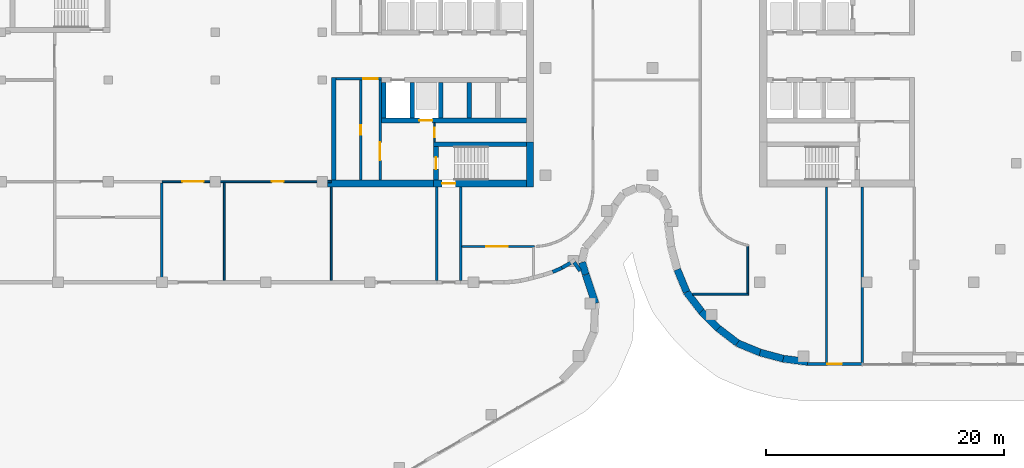
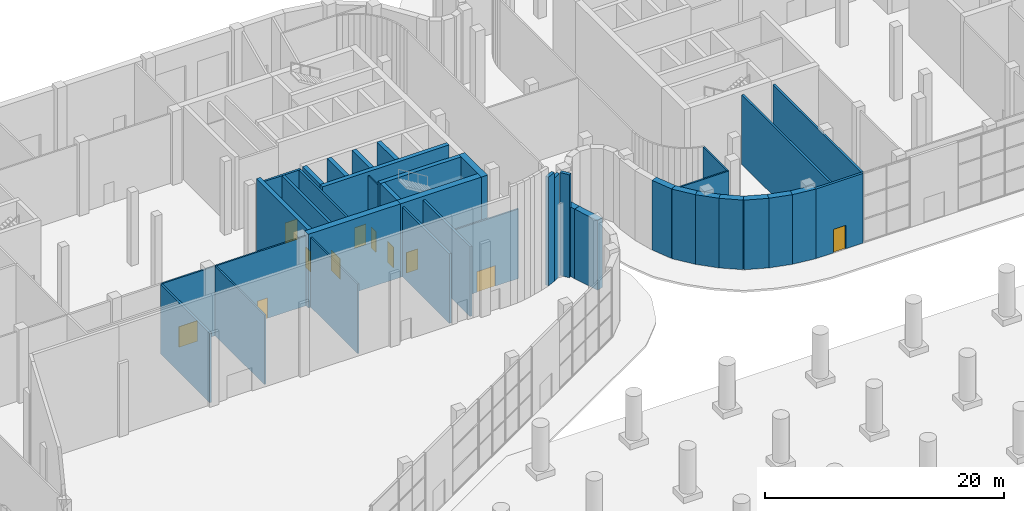
# One storey, part 17 of 30: 39 walls, 11 doors, 11 openings.
"""IFC4 building model written with IfcOpenShell, lengths in metres."""

from ifc_helpers import new_model, si_unit, direction, frame, frame_2d, origin, place, context, subcontext, project, spatial, rectangle, extrude, material, layer, layer_set, type_object, element, fill, save


model = new_model("IFC4")

# Units and contexts
model_context = context("Model", 3, precision=1e-05, world=origin(), true_north=direction((0.0, 1.0)))
body_context = subcontext(model_context, "Body", "Model", "MODEL_VIEW")
ifc_project = project(units=[si_unit("LENGTHUNIT", "METRE"), si_unit("AREAUNIT", "SQUARE_METRE"), si_unit("VOLUMEUNIT", "CUBIC_METRE"), si_unit("PLANEANGLEUNIT", "RADIAN"), si_unit("MASSUNIT", "GRAM", prefix="KILO")], contexts=[model_context])

# Site, building, storey
site_placement = place(None, origin())
site = spatial("IfcSite", under=ifc_project, at=site_placement, CompositionType="ELEMENT")
building_placement = place(site_placement, origin())
building = spatial("IfcBuilding", under=site, at=building_placement, Name="Skarvind Civic Tower", CompositionType="ELEMENT")
storey_placement = place(building_placement, origin())
storey = spatial("IfcBuildingStorey", under=building, at=storey_placement, Name="L00", CompositionType="ELEMENT", Elevation=0.0)

# Wall, opening, door
ifc_material_1 = material(Name="Fire-rated masonry partition", Category="masonry")
ifc_layer_1 = layer(ifc_material_1, 0.199951171875)
ifc_layer_set_1 = layer_set([ifc_layer_1], Name="Core enclosure wall 200")
wall_type_1 = type_object("IfcWallType", Name="Core enclosure wall 200", PredefinedType="PARTITIONING", material=ifc_layer_set_1)
wall_1_placement = place(storey_placement, frame((95.199951171875, 126.10009765625, 0.0), z_axis=(0.0, 0.0, 1.0), x_axis=(-1.0, 0.0, 0.0)))
wall_1 = element("IfcWall", 1, at=wall_1_placement, inside=storey, type_object=wall_type_1, Name="Core wall C1", PredefinedType="PARTITIONING", context=body_context, shape_type="SweptSolid", body=[
    extrude(rectangle(XDim=3.800048828125, YDim=0.199951171875, at=frame_2d((1.89990234375, 0.0))), origin(), (0.0, 0.0, 1.0), 7.10009765625),
])
opening_1_placement = place(wall_1_placement, frame((0.300048828125, 0.0, 0.0)))
opening_1 = element("IfcOpeningElement", 2, at=opening_1_placement, cuts=wall_1, Name="Opening D-L00-C1-07", PredefinedType="OPENING", context=body_context, shape_type="SweptSolid", body=[
    extrude(rectangle(XDim=1.199951171875, YDim=2.10009765625, at=frame_2d((0.60009765625, 1.050048828125))), frame((0.0, 0.10986328125, 0.0), z_axis=(0.0, -1.0, 0.0), x_axis=(1.0, 0.0, 0.0)), (0.0, 0.0, 1.0), 0.219970703125),
])
ifc_material_2 = material(Name="Fire-rated steel door", Category="steel")
door_type_1 = type_object("IfcDoorType", Name="Core lobby door 1200", OperationType="NOTDEFINED", PredefinedType="DOOR", material=ifc_material_2)
door_1_placement = place(opening_1_placement, origin())
door_1 = element("IfcDoor", 3, at=door_1_placement, inside=storey, type_object=door_type_1, Name="Fire door", OperationType="DOUBLE_DOOR_SINGLE_SWING", OverallHeight=2.10009765625, OverallWidth=1.199951171875, PredefinedType="DOOR", context=body_context, shape_type="SweptSolid", body=[
    extrude(rectangle(XDim=1.199951171875, YDim=2.10009765625, at=frame_2d((0.60009765625, 1.050048828125))), frame((0.0, 0.02490234375, 0.0), z_axis=(0.0, -1.0, 0.0), x_axis=(1.0, 0.0, 0.0)), (0.0, 0.0, 1.0), 0.050048828125),
])
fill(opening_1, door_1)

wall_2_placement = place(storey_placement, frame((95.10009765625, 117.60009765625, 0.0), z_axis=(0.0, 0.0, 1.0), x_axis=(0.0, 1.0, 0.0)))
wall_2 = element("IfcWall", 4, at=wall_2_placement, inside=storey, type_object=wall_type_1, Name="Core wall C1", PredefinedType="PARTITIONING", context=body_context, shape_type="SweptSolid", body=[
    extrude(rectangle(XDim=8.39990234375, YDim=0.199951171875, at=frame_2d((4.199951171875, 0.0))), origin(), (0.0, 0.0, 1.0), 7.10009765625),
])
opening_2_placement = place(wall_2_placement, frame((1.64990234375, 0.0, 0.0)))
opening_2 = element("IfcOpeningElement", 5, at=opening_2_placement, cuts=wall_2, Name="Opening D-L00-C1-08", PredefinedType="OPENING", context=body_context, shape_type="SweptSolid", body=[
    extrude(rectangle(XDim=1.5, YDim=2.10009765625, at=frame_2d((0.75, 1.050048828125))), frame((0.0, 0.10986328125, 0.0), z_axis=(0.0, -1.0, 0.0), x_axis=(1.0, 0.0, 0.0)), (0.0, 0.0, 1.0), 0.219970703125),
])
door_type_2 = type_object("IfcDoorType", Name="Fire door 1500", OperationType="NOTDEFINED", PredefinedType="DOOR", material=ifc_material_2)
door_2_placement = place(opening_2_placement, origin())
door_2 = element("IfcDoor", 6, at=door_2_placement, inside=storey, type_object=door_type_2, Name="Fire door", OperationType="DOUBLE_DOOR_SINGLE_SWING", OverallHeight=2.10009765625, OverallWidth=1.5, PredefinedType="DOOR", context=body_context, shape_type="SweptSolid", body=[
    extrude(rectangle(XDim=1.5, YDim=2.10009765625, at=frame_2d((0.75, 1.050048828125))), frame((0.0, 0.02490234375, 0.0), z_axis=(0.0, -1.0, 0.0), x_axis=(1.0, 0.0, 0.0)), (0.0, 0.0, 1.0), 0.050048828125),
])
fill(opening_2, door_2)

# Wall
ifc_material_3 = material(Name="Concrete C80", Category="concrete")
ifc_layer_2 = layer(ifc_material_3, 0.39990234375)
ifc_layer_set_2 = layer_set([ifc_layer_2], Name="Core wall 400 C80")
wall_type_2 = type_object("IfcWallType", Name="Core wall 400 C80", PredefinedType="SHEAR", material=ifc_layer_set_2)
wall_3_placement = place(storey_placement, frame((107.39990234375, 120.60009765625, 0.0), z_axis=(0.0, 0.0, 1.0), x_axis=(-1.0, 0.0, 0.0)))
element("IfcWall", 7, at=wall_3_placement, inside=storey, type_object=wall_type_2, Name="Core wall C1 north stair inner L00", PredefinedType="SHEAR", context=body_context, shape_type="SweptSolid", body=[
    extrude(rectangle(XDim=7.7998046875, YDim=0.39990234375, at=frame_2d((3.89990234375, 0.0))), origin(), (0.0, 0.0, 1.0), 7.5),
])

# Wall, opening, door
wall_4_placement = place(storey_placement, frame((99.800048828125, 120.39990234375, 0.0), z_axis=(0.0, 0.0, 1.0), x_axis=(0.0, -1.0, 0.0)))
wall_4 = element("IfcWall", 8, at=wall_4_placement, inside=storey, type_object=wall_type_2, Name="Core wall C1 north stair end L00", PredefinedType="SHEAR", context=body_context, shape_type="SweptSolid", body=[
    extrude(rectangle(XDim=2.7998046875, YDim=0.39990234375, at=frame_2d((1.39990234375, 0.0))), origin(), (0.0, 0.0, 1.0), 7.5),
])
opening_3_placement = place(wall_4_placement, frame((0.89990234375, 0.0, 0.0)))
opening_3 = element("IfcOpeningElement", 9, at=opening_3_placement, cuts=wall_4, Name="Opening D-L00-C1-09", PredefinedType="OPENING", context=body_context, shape_type="SweptSolid", body=[
    extrude(rectangle(XDim=1.0, YDim=2.10009765625, at=frame_2d((0.5, 1.050048828125))), frame((0.0, 0.2099609375, 0.0), z_axis=(0.0, -1.0, 0.0), x_axis=(1.0, 0.0, 0.0)), (0.0, 0.0, 1.0), 0.419921875),
])
door_type_3 = type_object("IfcDoorType", Name="Fire door 1000", OperationType="NOTDEFINED", PredefinedType="DOOR", material=ifc_material_2)
door_3_placement = place(opening_3_placement, origin())
door_3 = element("IfcDoor", 10, at=door_3_placement, inside=storey, type_object=door_type_3, Name="Fire door", OperationType="SINGLE_SWING_LEFT", OverallHeight=2.10009765625, OverallWidth=1.0, PredefinedType="DOOR", context=body_context, shape_type="SweptSolid", body=[
    extrude(rectangle(XDim=1.0, YDim=2.10009765625, at=frame_2d((0.5, 1.050048828125))), frame((0.0, 0.02490234375, 0.0), z_axis=(0.0, -1.0, 0.0), x_axis=(1.0, 0.0, 0.0)), (0.0, 0.0, 1.0), 0.050048828125),
])
fill(opening_3, door_3)

wall_5_placement = place(storey_placement, frame((107.39990234375, 122.60009765625, 0.0), z_axis=(0.0, 0.0, 1.0), x_axis=(-1.0, 0.0, 0.0)))
wall_5 = element("IfcWall", 11, at=wall_5_placement, inside=storey, type_object=wall_type_2, Name="Core wall C1 north lift row back L00", PredefinedType="SHEAR", context=body_context, shape_type="SweptSolid", body=[
    extrude(rectangle(XDim=12.199951171875, YDim=0.39990234375, at=frame_2d((6.10009765625, 0.0))), origin(), (0.0, 0.0, 1.0), 7.5),
])
opening_4_placement = place(wall_5_placement, frame((7.89990234375, 0.0, 0.0)))
opening_4 = element("IfcOpeningElement", 12, at=opening_4_placement, cuts=wall_5, Name="Opening LD02104", PredefinedType="OPENING", context=body_context, shape_type="SweptSolid", body=[
    extrude(rectangle(XDim=1.10009765625, YDim=2.10009765625, at=frame_2d((0.550048828125, 1.050048828125))), frame((0.0, 0.2099609375, 0.0), z_axis=(0.0, -1.0, 0.0), x_axis=(1.0, 0.0, 0.0)), (0.0, 0.0, 1.0), 0.419921875),
])
ifc_material_4 = material(Name="Stainless steel landing door", Category="steel")
door_type_4 = type_object("IfcDoorType", Name="Lift landing door 1100", OperationType="DOUBLE_DOOR_SLIDING", PredefinedType="DOOR", material=ifc_material_4)
door_4_placement = place(opening_4_placement, origin())
door_4 = element("IfcDoor", 13, at=door_4_placement, inside=storey, type_object=door_type_4, Name="Lift landing door", OperationType="DOUBLE_DOOR_SLIDING", OverallHeight=2.10009765625, OverallWidth=1.10009765625, PredefinedType="DOOR", context=body_context, shape_type="SweptSolid", body=[
    extrude(rectangle(XDim=1.10009765625, YDim=2.10009765625, at=frame_2d((0.550048828125, 1.050048828125))), frame((0.0, 0.02490234375, 0.0), z_axis=(0.0, -1.0, 0.0), x_axis=(1.0, 0.0, 0.0)), (0.0, 0.0, 1.0), 0.050048828125),
])
fill(opening_4, door_4)

# Walls
for number, where, z_axis, x_axis, name in (
    (14, (102.60009765625, 125.800048828125, 0.0), (0.0, 0.0, 1.0), (0.0, -1.0, 0.0), "Core wall C1 north lift row division 2 L00"),
    (15, (100.199951171875, 125.800048828125, 0.0), (0.0, 0.0, 1.0), (0.0, -1.0, 0.0), "Core wall C1 north lift row division 3 L00"),
    (16, (97.800048828125, 125.800048828125, 0.0), (0.0, 0.0, 1.0), (0.0, -1.0, 0.0), "Core wall C1 north lift row division 4 L00"),
    (17, (95.39990234375, 125.800048828125, 0.0), (0.0, 0.0, 1.0), (0.0, -1.0, 0.0), "Core wall C1 north lift row division 5 L00"),
):
    element("IfcWall", number, at=place(storey_placement, frame(where, z_axis=z_axis, x_axis=x_axis)), inside=storey, type_object=wall_type_2, Name=name, PredefinedType="SHEAR", context=body_context, shape_type="SweptSolid", body=[
        extrude(rectangle(XDim=3.0, YDim=0.39990234375, at=frame_2d((1.5, 0.0))), origin(), (0.0, 0.0, 1.0), 7.5),
    ])
wall_6_placement = place(storey_placement, frame((91.199951171875, 126.199951171875, 0.0), z_axis=(0.0, 0.0, 1.0), x_axis=(0.0, -1.0, 0.0)))
element("IfcWall", 18, at=wall_6_placement, inside=storey, type_object=wall_type_2, Name="Core wall C1 north inner face L00", PredefinedType="SHEAR", context=body_context, shape_type="SweptSolid", body=[
    extrude(rectangle(XDim=8.599853515625, YDim=0.39990234375, at=frame_2d((4.2998046875, 0.0))), origin(), (0.0, 0.0, 1.0), 7.5),
])
ifc_layer_3 = layer(ifc_material_3, 0.60009765625)
ifc_layer_set_3 = layer_set([ifc_layer_3], Name="Core wall 600 C80")
wall_type_3 = type_object("IfcWallType", Name="Core wall 600 C80", PredefinedType="SHEAR", material=ifc_layer_set_3)
wall_7_placement = place(storey_placement, frame((107.699951171875, 120.800048828125, 0.0), z_axis=(0.0, 0.0, 1.0), x_axis=(0.0, -1.0, 0.0)))
element("IfcWall", 19, at=wall_7_placement, inside=storey, type_object=wall_type_3, Name="Core wall C1 tip at the north stair L00", PredefinedType="SHEAR", context=body_context, shape_type="SweptSolid", body=[
    extrude(rectangle(XDim=3.800048828125, YDim=0.60009765625, at=frame_2d((1.89990234375, 0.0))), origin(), (0.0, 0.0, 1.0), 7.5),
])

# Wall, opening, door
wall_8_placement = place(storey_placement, frame((107.39990234375, 117.300048828125, 0.0), z_axis=(0.0, 0.0, 1.0), x_axis=(-1.0, 0.0, 0.0)))
wall_8 = element("IfcWall", 20, at=wall_8_placement, inside=storey, type_object=wall_type_3, Name="Core wall C1 north side at the stair L00", PredefinedType="SHEAR", context=body_context, shape_type="SweptSolid", body=[
    extrude(rectangle(XDim=7.7998046875, YDim=0.60009765625, at=frame_2d((3.89990234375, 0.0))), origin(), (0.0, 0.0, 1.0), 7.5),
])
opening_5_placement = place(wall_8_placement, frame((5.97509765625, 0.0, 0.0)))
opening_5 = element("IfcOpeningElement", 21, at=opening_5_placement, cuts=wall_8, Name="Opening D-L00-C1-21", PredefinedType="OPENING", context=body_context, shape_type="SweptSolid", body=[
    extrude(rectangle(XDim=1.10009765625, YDim=2.10009765625, at=frame_2d((0.550048828125, 1.050048828125))), frame((0.0, 0.31005859375, 0.0), z_axis=(0.0, -1.0, 0.0), x_axis=(1.0, 0.0, 0.0)), (0.0, 0.0, 1.0), 0.6201171875),
])
door_type_5 = type_object("IfcDoorType", Name="Fire door 1100", OperationType="NOTDEFINED", PredefinedType="DOOR", material=ifc_material_2)
door_5_placement = place(opening_5_placement, origin())
door_5 = element("IfcDoor", 22, at=door_5_placement, inside=storey, type_object=door_type_5, Name="Stair exit door", OperationType="SINGLE_SWING_LEFT", OverallHeight=2.10009765625, OverallWidth=1.10009765625, PredefinedType="DOOR", context=body_context, shape_type="SweptSolid", body=[
    extrude(rectangle(XDim=1.10009765625, YDim=2.10009765625, at=frame_2d((0.550048828125, 1.050048828125))), frame((0.0, 0.02490234375, 0.0), z_axis=(0.0, -1.0, 0.0), x_axis=(1.0, 0.0, 0.0)), (0.0, 0.0, 1.0), 0.050048828125),
])
fill(opening_5, door_5)

# Walls
wall_9_placement = place(storey_placement, frame((99.60009765625, 117.300048828125, 0.0), z_axis=(0.0, 0.0, 1.0), x_axis=(-1.0, 0.0, 0.0)))
element("IfcWall", 23, at=wall_9_placement, inside=storey, type_object=wall_type_3, Name="Core wall C1 north side L00", PredefinedType="SHEAR", context=body_context, shape_type="SweptSolid", body=[
    extrude(rectangle(XDim=8.900146484375, YDim=0.60009765625, at=frame_2d((4.4501953125, 0.0))), origin(), (0.0, 0.0, 1.0), 7.5),
])
ifc_material_5 = material(Name="Fire-rated blockwork wall, plastered", Category="masonry")
ifc_layer_4 = layer(ifc_material_5, 0.199951171875)
ifc_layer_set_4 = layer_set([ifc_layer_4], Name="FIRE WALL 200 EI 120")
wall_type_4 = type_object("IfcWallType", Name="FIRE WALL 200 EI 120", PredefinedType="PARTITIONING", material=ifc_layer_set_4)
wall_10_placement = place(storey_placement, frame((76.75, 109.14990234375, 0.0), z_axis=(0.0, 0.0, 1.0), x_axis=(0.0, 1.0, 0.0)))
element("IfcWall", 24, at=wall_10_placement, inside=storey, type_object=wall_type_4, Name="Podium partition L00 108", PredefinedType="PARTITIONING", context=body_context, shape_type="SweptSolid", body=[
    extrude(rectangle(XDim=8.2001953125, YDim=0.199951171875, at=frame_2d((4.10009765625, 0.0))), origin(), (0.0, 0.0, 1.0), 7.10009765625),
])
for number, where, z_axis, x_axis, name in (
    (25, (99.875, 109.14990234375, 0.0), (0.0, 0.0, 1.0), (0.0, 1.0, 0.0), "Podium partition L00 117"),
    (26, (101.875, 109.14990234375, 0.0), (0.0, 0.0, 1.0), (0.0, 1.0, 0.0), "Podium partition L00 119"),
):
    element("IfcWall", number, at=place(storey_placement, frame(where, z_axis=z_axis, x_axis=x_axis)), inside=storey, type_object=wall_type_4, Name=name, PredefinedType="PARTITIONING", context=body_context, shape_type="SweptSolid", body=[
        extrude(rectangle(XDim=7.85009765625, YDim=0.199951171875, at=frame_2d((3.925048828125, 0.0))), origin(), (0.0, 0.0, 1.0), 7.10009765625),
    ])
wall_11_placement = place(storey_placement, frame((132.625, 102.219970703125, 0.0), z_axis=(0.0, 0.0, 1.0), x_axis=(0.0, 1.0, 0.0)))
element("IfcWall", 27, at=wall_11_placement, inside=storey, type_object=wall_type_4, Name="Podium partition L00 203", PredefinedType="PARTITIONING", context=body_context, shape_type="SweptSolid", body=[
    extrude(rectangle(XDim=14.780029296875, YDim=0.199951171875, at=frame_2d((7.39013671875, 0.0))), origin(), (0.0, 0.0, 1.0), 7.10009765625),
])
wall_12_placement = place(storey_placement, frame((135.625, 102.199951171875, 0.0), z_axis=(0.0, 0.0, 1.0), x_axis=(0.0, 1.0, 0.0)))
element("IfcWall", 28, at=wall_12_placement, inside=storey, type_object=wall_type_4, Name="Podium partition L00 205", PredefinedType="PARTITIONING", context=body_context, shape_type="SweptSolid", body=[
    extrude(rectangle(XDim=14.800048828125, YDim=0.199951171875, at=frame_2d((7.39990234375, 0.0))), origin(), (0.0, 0.0, 1.0), 7.10009765625),
])
ifc_material_6 = material(Name="Dense blockwork wall, plastered", Category="masonry")
ifc_layer_5 = layer(ifc_material_6, 0.300048828125)
ifc_layer_set_5 = layer_set([ifc_layer_5], Name="MASONRY WALL 300")
wall_type_5 = type_object("IfcWallType", Name="MASONRY WALL 300", PredefinedType="PARTITIONING", material=ifc_layer_set_5)
wall_13_placement = place(storey_placement, frame((109.610107421875, 109.863037109375, 0.0), z_axis=(0.0, 0.0, 1.0), x_axis=(0.913468780011, 0.406908820187, 0.0)))
element("IfcWall", 29, at=wall_13_placement, inside=storey, type_object=wall_type_5, Name="Podium partition L00 140", PredefinedType="PARTITIONING", context=body_context, shape_type="SweptSolid", body=[
    extrude(rectangle(XDim=0.8525390625, YDim=0.300048828125, at=frame_2d((0.42626953125, 0.0))), origin(), (0.0, 0.0, 1.0), 11.10009765625),
])
wall_14_placement = place(storey_placement, frame((110.375, 110.202880859375, 0.0), z_axis=(0.0, 0.0, 1.0), x_axis=(0.865856812677, 0.500291894738, 0.0)))
element("IfcWall", 30, at=wall_14_placement, inside=storey, type_object=wall_type_5, Name="Podium partition L00 145", PredefinedType="PARTITIONING", context=body_context, shape_type="SweptSolid", body=[
    extrude(rectangle(XDim=0.853515625, YDim=0.300048828125, at=frame_2d((0.4267578125, 0.0))), origin(), (0.0, 0.0, 1.0), 10.5),
])
wall_15_placement = place(storey_placement, frame((111.4189453125, 110.6669921875, 0.0), z_axis=(0.0, 0.0, 1.0), x_axis=(0.573537965655, -0.819178980414, 0.0)))
element("IfcWall", 31, at=wall_15_placement, inside=storey, type_object=wall_type_5, Name="Podium partition L00 151", PredefinedType="PARTITIONING", context=body_context, shape_type="SweptSolid", body=[
    extrude(rectangle(XDim=0.86669921875, YDim=0.300048828125, at=frame_2d((0.433349609375, 0.0))), origin(), (0.0, 0.0, 1.0), 10.5),
])

# Wall, openings, doors
ifc_material_7 = material(Name="Plasterboard partition on steel studs", Category="steel")
ifc_layer_6 = layer(ifc_material_7, 0.14990234375)
ifc_layer_set_6 = layer_set([ifc_layer_6], Name="PARTITION 150")
wall_type_6 = type_object("IfcWallType", Name="PARTITION 150", PredefinedType="PARTITIONING", material=ifc_layer_set_6)
wall_16_placement = place(storey_placement, frame((76.75, 117.449951171875, 0.0), z_axis=(0.0, 0.0, 1.0), x_axis=(1.0, 0.0, 0.0)))
wall_16 = element("IfcWall", 32, at=wall_16_placement, inside=storey, type_object=wall_type_6, Name="Podium partition L00 110", PredefinedType="PARTITIONING", context=body_context, shape_type="SweptSolid", body=[
    extrude(rectangle(XDim=14.25, YDim=0.14990234375, at=frame_2d((7.125, 0.0))), origin(), (0.0, 0.0, 1.0), 7.10009765625),
])
opening_6_placement = place(wall_16_placement, frame((1.72509765625, 0.0, 0.0)))
opening_6 = element("IfcOpeningElement", 33, at=opening_6_placement, cuts=wall_16, Name="Opening L00-D222", PredefinedType="OPENING", context=body_context, shape_type="SweptSolid", body=[
    extrude(rectangle(XDim=1.800048828125, YDim=2.10009765625, at=frame_2d((0.89990234375, 1.050048828125))), frame((0.0, 0.0849609375, 0.0), z_axis=(0.0, -1.0, 0.0), x_axis=(1.0, 0.0, 0.0)), (0.0, 0.0, 1.0), 0.169921875),
])
opening_7_placement = place(wall_16_placement, frame((9.248046875, 0.0, 0.0)))
opening_7 = element("IfcOpeningElement", 34, at=opening_7_placement, cuts=wall_16, Name="Opening L00-D224", PredefinedType="OPENING", context=body_context, shape_type="SweptSolid", body=[
    extrude(rectangle(XDim=1.0, YDim=2.10009765625, at=frame_2d((0.5, 1.050048828125))), frame((0.0, 0.0849609375, 0.0), z_axis=(0.0, -1.0, 0.0), x_axis=(1.0, 0.0, 0.0)), (0.0, 0.0, 1.0), 0.169921875),
])
ifc_material_8 = material(Name="Timber veneer door leaf", Category="wood")
door_type_6 = type_object("IfcDoorType", Name="DOOR 1000X2100 TIMBER", OperationType="NOTDEFINED", PredefinedType="DOOR", material=ifc_material_8)
door_6_placement = place(opening_7_placement, origin())
door_6 = element("IfcDoor", 35, at=door_6_placement, inside=storey, type_object=door_type_6, Name="DOOR DOOR", OperationType="SINGLE_SWING_LEFT", OverallHeight=2.10009765625, OverallWidth=1.0, PredefinedType="DOOR", context=body_context, shape_type="SweptSolid", body=[
    extrude(rectangle(XDim=1.0, YDim=2.10009765625, at=frame_2d((0.5, 1.050048828125))), frame((0.0, 0.02490234375, 0.0), z_axis=(0.0, -1.0, 0.0), x_axis=(1.0, 0.0, 0.0)), (0.0, 0.0, 1.0), 0.050048828125),
])
fill(opening_7, door_6)
door_type_7 = type_object("IfcDoorType", Name="DOOR 1800X2100 DOUBLE TIMBER", OperationType="NOTDEFINED", PredefinedType="DOOR", material=ifc_material_8)
door_7_placement = place(opening_6_placement, origin())
door_7 = element("IfcDoor", 36, at=door_7_placement, inside=storey, type_object=door_type_7, Name="DOOR DOOR", OperationType="DOUBLE_DOOR_SINGLE_SWING", OverallHeight=2.10009765625, OverallWidth=1.800048828125, PredefinedType="DOOR", context=body_context, shape_type="SweptSolid", body=[
    extrude(rectangle(XDim=1.800048828125, YDim=2.10009765625, at=frame_2d((0.89990234375, 1.050048828125))), frame((0.0, 0.02490234375, 0.0), z_axis=(0.0, -1.0, 0.0), x_axis=(1.0, 0.0, 0.0)), (0.0, 0.0, 1.0), 0.050048828125),
])
fill(opening_6, door_7)

# Walls
wall_17_placement = place(storey_placement, frame((82.0, 109.14990234375, 0.0), z_axis=(0.0, 0.0, 1.0), x_axis=(0.0, 1.0, 0.0)))
element("IfcWall", 37, at=wall_17_placement, inside=storey, type_object=wall_type_6, Name="Podium partition L00 112", PredefinedType="PARTITIONING", context=body_context, shape_type="SweptSolid", body=[
    extrude(rectangle(XDim=8.22509765625, YDim=0.14990234375, at=frame_2d((4.112548828125, 0.0))), origin(), (0.0, 0.0, 1.0), 7.10009765625),
])
wall_18_placement = place(storey_placement, frame((91.0, 109.14990234375, 0.0), z_axis=(0.0, 0.0, 1.0), x_axis=(0.0, 1.0, 0.0)))
element("IfcWall", 38, at=wall_18_placement, inside=storey, type_object=wall_type_6, Name="Podium partition L00 113", PredefinedType="PARTITIONING", context=body_context, shape_type="SweptSolid", body=[
    extrude(rectangle(XDim=7.85009765625, YDim=0.14990234375, at=frame_2d((3.925048828125, 0.0))), origin(), (0.0, 0.0, 1.0), 7.10009765625),
])

# Wall, opening, door
wall_19_placement = place(storey_placement, frame((108.074951171875, 112.0, 0.0), z_axis=(0.0, 0.0, 1.0), x_axis=(-1.0, 0.0, 0.0)))
wall_19 = element("IfcWall", 39, at=wall_19_placement, inside=storey, type_object=wall_type_6, Name="Podium partition L00 121", PredefinedType="PARTITIONING", context=body_context, shape_type="SweptSolid", body=[
    extrude(rectangle(XDim=6.099853515625, YDim=0.14990234375, at=frame_2d((3.0498046875, 0.0))), origin(), (0.0, 0.0, 1.0), 7.10009765625),
])
opening_8_placement = place(wall_19_placement, frame((2.238037109375, 0.0, 0.0)))
opening_8 = element("IfcOpeningElement", 40, at=opening_8_placement, cuts=wall_19, Name="Opening L00-D229", PredefinedType="OPENING", context=body_context, shape_type="SweptSolid", body=[
    extrude(rectangle(XDim=1.800048828125, YDim=2.10009765625, at=frame_2d((0.89990234375, 1.050048828125))), frame((0.0, 0.0849609375, 0.0), z_axis=(0.0, -1.0, 0.0), x_axis=(1.0, 0.0, 0.0)), (0.0, 0.0, 1.0), 0.169921875),
])
door_8_placement = place(opening_8_placement, origin())
door_8 = element("IfcDoor", 41, at=door_8_placement, inside=storey, type_object=door_type_7, Name="DOOR DOOR", OperationType="DOUBLE_DOOR_SINGLE_SWING", OverallHeight=2.10009765625, OverallWidth=1.800048828125, PredefinedType="DOOR", context=body_context, shape_type="SweptSolid", body=[
    extrude(rectangle(XDim=1.800048828125, YDim=2.10009765625, at=frame_2d((0.89990234375, 1.050048828125))), frame((0.0, 0.02490234375, 0.0), z_axis=(0.0, -1.0, 0.0), x_axis=(1.0, 0.0, 0.0)), (0.0, 0.0, 1.0), 0.050048828125),
])
fill(opening_8, door_8)

# Walls
wall_20_placement = place(storey_placement, frame((121.367919921875, 108.0, 0.0), z_axis=(0.0, 0.0, 1.0), x_axis=(1.0, 0.0, 0.0)))
element("IfcWall", 42, at=wall_20_placement, inside=storey, type_object=wall_type_6, Name="Podium partition L00 171", PredefinedType="PARTITIONING", context=body_context, shape_type="SweptSolid", body=[
    extrude(rectangle(XDim=4.70703125, YDim=0.14990234375, at=frame_2d((2.353515625, 0.0))), origin(), (0.0, 0.0, 1.0), 7.10009765625),
])
wall_21_placement = place(storey_placement, frame((126.0, 108.074951171875, 0.0), z_axis=(0.0, 0.0, 1.0), x_axis=(0.0, 1.0, 0.0)))
element("IfcWall", 43, at=wall_21_placement, inside=storey, type_object=wall_type_6, Name="Podium partition L00 201", PredefinedType="PARTITIONING", context=body_context, shape_type="SweptSolid", body=[
    extrude(rectangle(XDim=3.949951171875, YDim=0.14990234375, at=frame_2d((1.97509765625, 0.0))), origin(), (0.0, 0.0, 1.0), 7.10009765625),
])

# Wall, opening, door
ifc_layer_7 = layer(ifc_material_1, 0.125)
ifc_layer_set_7 = layer_set([ifc_layer_7], Name="Riser wall 125")
wall_type_7 = type_object("IfcWallType", Name="Riser wall 125", PredefinedType="PARTITIONING", material=ifc_layer_set_7)
wall_22_placement = place(storey_placement, frame((99.66259765625, 120.800048828125, 0.0), z_axis=(0.0, 0.0, 1.0), x_axis=(0.0, 1.0, 0.0)))
wall_22 = element("IfcWall", 44, at=wall_22_placement, inside=storey, type_object=wall_type_7, Name="Core wall C1", PredefinedType="PARTITIONING", context=body_context, shape_type="SweptSolid", body=[
    extrude(rectangle(XDim=1.599853515625, YDim=0.125, at=frame_2d((0.7998046875, 0.0))), origin(), (0.0, 0.0, 1.0), 7.10009765625),
])
opening_9_placement = place(wall_22_placement, frame((0.39990234375, 0.0, 0.0)))
opening_9 = element("IfcOpeningElement", 45, at=opening_9_placement, cuts=wall_22, Name="Opening D-L00-C1-10", PredefinedType="OPENING", context=body_context, shape_type="SweptSolid", body=[
    extrude(rectangle(XDim=0.800048828125, YDim=2.10009765625, at=frame_2d((0.39990234375, 1.050048828125))), frame((0.0, 0.072509765625, 0.0), z_axis=(0.0, -1.0, 0.0), x_axis=(1.0, 0.0, 0.0)), (0.0, 0.0, 1.0), 0.14501953125),
])
door_type_8 = type_object("IfcDoorType", Name="Core riser door 800", OperationType="NOTDEFINED", PredefinedType="DOOR", material=ifc_material_2)
door_9_placement = place(opening_9_placement, origin())
door_9 = element("IfcDoor", 46, at=door_9_placement, inside=storey, type_object=door_type_8, Name="Riser door", OperationType="SINGLE_SWING_RIGHT", OverallHeight=2.10009765625, OverallWidth=0.800048828125, PredefinedType="DOOR", context=body_context, shape_type="SweptSolid", body=[
    extrude(rectangle(XDim=0.800048828125, YDim=2.10009765625, at=frame_2d((0.39990234375, 1.050048828125))), frame((0.0, 0.02490234375, 0.0), z_axis=(0.0, -1.0, 0.0), x_axis=(1.0, 0.0, 0.0)), (0.0, 0.0, 1.0), 0.050048828125),
])
fill(opening_9, door_9)

ifc_layer_8 = layer(ifc_material_1, 0.25)
ifc_layer_set_8 = layer_set([ifc_layer_8], Name="Service block wall 250")
wall_type_8 = type_object("IfcWallType", Name="Service block wall 250", PredefinedType="PARTITIONING", material=ifc_layer_set_8)
wall_23_placement = place(storey_placement, frame((93.47509765625, 117.60009765625, 0.0), z_axis=(0.0, 0.0, 1.0), x_axis=(0.0, 1.0, 0.0)))
wall_23 = element("IfcWall", 47, at=wall_23_placement, inside=storey, type_object=wall_type_8, Name="Core wall C1", PredefinedType="PARTITIONING", context=body_context, shape_type="SweptSolid", body=[
    extrude(rectangle(XDim=8.39990234375, YDim=0.25, at=frame_2d((4.199951171875, 0.0))), origin(), (0.0, 0.0, 1.0), 7.10009765625),
])
opening_10_placement = place(wall_23_placement, frame((3.800048828125, 0.0, 0.0)))
opening_10 = element("IfcOpeningElement", 48, at=opening_10_placement, cuts=wall_23, Name="Opening D-L00-C1-11", PredefinedType="OPENING", context=body_context, shape_type="SweptSolid", body=[
    extrude(rectangle(XDim=0.800048828125, YDim=2.10009765625, at=frame_2d((0.39990234375, 1.050048828125))), frame((0.0, 0.135009765625, 0.0), z_axis=(0.0, -1.0, 0.0), x_axis=(1.0, 0.0, 0.0)), (0.0, 0.0, 1.0), 0.27001953125),
])
door_10_placement = place(opening_10_placement, origin())
door_10 = element("IfcDoor", 49, at=door_10_placement, inside=storey, type_object=door_type_8, Name="Riser door", OperationType="SINGLE_SWING_LEFT", OverallHeight=2.10009765625, OverallWidth=0.800048828125, PredefinedType="DOOR", context=body_context, shape_type="SweptSolid", body=[
    extrude(rectangle(XDim=0.800048828125, YDim=2.10009765625, at=frame_2d((0.39990234375, 1.050048828125))), frame((0.0, 0.02490234375, 0.0), z_axis=(0.0, -1.0, 0.0), x_axis=(1.0, 0.0, 0.0)), (0.0, 0.0, 1.0), 0.050048828125),
])
fill(opening_10, door_10)

# Walls
ifc_material_9 = material(Name="Limestone masonry cladding on insulated backing", Category="masonry")
ifc_layer_9 = layer(ifc_material_9, 0.60009765625)
ifc_layer_set_9 = layer_set([ifc_layer_9], Name="WX1 STONE FACADE WALL 600")
wall_type_9 = type_object("IfcWallType", Name="WX1 STONE FACADE WALL 600", PredefinedType="SOLIDWALL", material=ifc_layer_set_9)
wall_24_placement = place(storey_placement, frame((112.388427734375, 109.643310546875, 0.0), z_axis=(0.0, 0.0, 1.0), x_axis=(0.31642839289, -0.948616398853, 0.0)))
element("IfcWall", 50, at=wall_24_placement, inside=storey, type_object=wall_type_9, Name="STONE FACADE WALL", PredefinedType="SOLIDWALL", context=body_context, shape_type="SweptSolid", body=[
    extrude(rectangle(XDim=2.555419921875, YDim=0.60009765625, at=frame_2d((1.27783203125, 0.0))), origin(), (0.0, 0.0, 1.0), 7.10009765625),
])
wall_25_placement = place(storey_placement, frame((112.080810546875, 110.67578125, 0.0), z_axis=(0.0, 0.0, 1.0), x_axis=(0.285396142495, -0.958409641985, 0.0)))
element("IfcWall", 51, at=wall_25_placement, inside=storey, type_object=wall_type_9, Name="STONE FACADE WALL", PredefinedType="SOLIDWALL", context=body_context, shape_type="SweptSolid", body=[
    extrude(rectangle(XDim=1.067626953125, YDim=0.60009765625, at=frame_2d((0.53369140625, 0.0))), origin(), (0.0, 0.0, 1.0), 7.10009765625),
])
wall_26_placement = place(storey_placement, frame((120.8603515625, 108.1806640625, 0.0), z_axis=(0.0, 0.0, 1.0), x_axis=(-0.382341242798, 0.924021197839, 0.0)))
element("IfcWall", 52, at=wall_26_placement, inside=storey, type_object=wall_type_9, Name="STONE FACADE WALL", PredefinedType="SOLIDWALL", context=body_context, shape_type="SweptSolid", body=[
    extrude(rectangle(XDim=2.0439453125, YDim=0.60009765625, at=frame_2d((1.02197265625, 0.0))), origin(), (0.0, 0.0, 1.0), 7.10009765625),
])
wall_27_placement = place(storey_placement, frame((122.135498046875, 106.50732421875, 0.0), z_axis=(0.0, 0.0, 1.0), x_axis=(-0.609052002567, 0.79313029079, 0.0)))
element("IfcWall", 53, at=wall_27_placement, inside=storey, type_object=wall_type_9, Name="STONE FACADE WALL", PredefinedType="SOLIDWALL", context=body_context, shape_type="SweptSolid", body=[
    extrude(rectangle(XDim=2.114013671875, YDim=0.60009765625, at=frame_2d((1.05712890625, 0.0))), origin(), (0.0, 0.0, 1.0), 7.10009765625),
])
wall_28_placement = place(storey_placement, frame((123.536865234375, 105.109619140625, 0.0), z_axis=(0.0, 0.0, 1.0), x_axis=(-0.707106781187, 0.707106781187, 0.0)))
element("IfcWall", 54, at=wall_28_placement, inside=storey, type_object=wall_type_9, Name="STONE FACADE WALL", PredefinedType="SOLIDWALL", context=body_context, shape_type="SweptSolid", body=[
    extrude(rectangle(XDim=2.018310546875, YDim=0.60009765625, at=frame_2d((1.00927734375, 0.0))), origin(), (0.0, 0.0, 1.0), 7.10009765625),
])
wall_29_placement = place(storey_placement, frame((125.12841796875, 103.890625, 0.0), z_axis=(0.0, 0.0, 1.0), x_axis=(-0.793125485267, 0.609058260448, 0.0)))
element("IfcWall", 55, at=wall_29_placement, inside=storey, type_object=wall_type_9, Name="STONE FACADE WALL", PredefinedType="SOLIDWALL", context=body_context, shape_type="SweptSolid", body=[
    extrude(rectangle(XDim=2.0439453125, YDim=0.60009765625, at=frame_2d((1.02197265625, 0.0))), origin(), (0.0, 0.0, 1.0), 7.10009765625),
])
wall_30_placement = place(storey_placement, frame((127.0693359375, 103.078857421875, 0.0), z_axis=(0.0, 0.0, 1.0), x_axis=(-0.924006983526, 0.382375593358, 0.0)))
element("IfcWall", 56, at=wall_30_placement, inside=storey, type_object=wall_type_9, Name="STONE FACADE WALL", PredefinedType="SOLIDWALL", context=body_context, shape_type="SweptSolid", body=[
    extrude(rectangle(XDim=2.114013671875, YDim=0.60009765625, at=frame_2d((1.05712890625, 0.0))), origin(), (0.0, 0.0, 1.0), 7.10009765625),
])
wall_31_placement = place(storey_placement, frame((128.986083984375, 102.568115234375, 0.0), z_axis=(0.0, 0.0, 1.0), x_axis=(-0.965929732323, 0.258804467146, 0.0)))
element("IfcWall", 57, at=wall_31_placement, inside=storey, type_object=wall_type_9, Name="STONE FACADE WALL", PredefinedType="SOLIDWALL", context=body_context, shape_type="SweptSolid", body=[
    extrude(rectangle(XDim=2.0224609375, YDim=0.60009765625, at=frame_2d((1.01123046875, 0.0))), origin(), (0.0, 0.0, 1.0), 7.10009765625),
])
wall_32_placement = place(storey_placement, frame((131.06103515625, 102.29736328125, 0.0), z_axis=(0.0, 0.0, 1.0), x_axis=(-0.991440646942, 0.130558200013, 0.0)))
element("IfcWall", 58, at=wall_32_placement, inside=storey, type_object=wall_type_9, Name="STONE FACADE WALL", PredefinedType="SOLIDWALL", context=body_context, shape_type="SweptSolid", body=[
    extrude(rectangle(XDim=2.1318359375, YDim=0.60009765625, at=frame_2d((1.06591796875, 0.0))), origin(), (0.0, 0.0, 1.0), 7.10009765625),
])

# Wall, opening, door
ifc_layer_10 = layer(ifc_material_9, 0.239990234375)
ifc_layer_set_10 = layer_set([ifc_layer_10], Name="WX4F FIRE-RATED STONE DOOR PIER WALL 240")
wall_type_10 = type_object("IfcWallType", Name="WX4F FIRE-RATED STONE DOOR PIER WALL 240", PredefinedType="SOLIDWALL", material=ifc_layer_set_10)
wall_33_placement = place(storey_placement, frame((135.5869140625, 102.1201171875, 0.0), z_axis=(0.0, 0.0, 1.0), x_axis=(-1.0, 0.0, 0.0)))
wall_33 = element("IfcWall", 59, at=wall_33_placement, inside=storey, type_object=wall_type_10, Name="STONE DOOR PIER WALL", PredefinedType="SOLIDWALL", context=body_context, shape_type="SweptSolid", body=[
    extrude(rectangle(XDim=4.565185546875, YDim=0.239990234375, at=frame_2d((2.28271484375, 0.0))), origin(), (0.0, 0.0, 1.0), 7.10009765625),
])
opening_11_placement = place(wall_33_placement, frame((1.6826171875, 0.0, 0.0)))
opening_11 = element("IfcOpeningElement", 60, at=opening_11_placement, cuts=wall_33, Name="Opening DX2", PredefinedType="OPENING", context=body_context, shape_type="SweptSolid", body=[
    extrude(rectangle(XDim=1.199951171875, YDim=2.39990234375, at=frame_2d((0.60009765625, 1.199951171875))), frame((0.0, 0.1298828125, 0.0), z_axis=(0.0, -1.0, 0.0), x_axis=(1.0, 0.0, 0.0)), (0.0, 0.0, 1.0), 0.260009765625),
])
ifc_material_10 = material(Name="Timber and glass doorset", Category="wood")
door_type_9 = type_object("IfcDoorType", Name="DX2 EXIT DOOR 1200 x 2400", OperationType="NOTDEFINED", PredefinedType="DOOR", material=ifc_material_10)
door_11_placement = place(opening_11_placement, origin())
door_11 = element("IfcDoor", 61, at=door_11_placement, inside=storey, type_object=door_type_9, Name="EXIT DOOR", OperationType="SINGLE_SWING_RIGHT", OverallHeight=2.39990234375, OverallWidth=1.199951171875, PredefinedType="DOOR", context=body_context, shape_type="SweptSolid", body=[
    extrude(rectangle(XDim=1.199951171875, YDim=2.39990234375, at=frame_2d((0.60009765625, 1.199951171875))), frame((0.0, 0.02490234375, 0.0), z_axis=(0.0, -1.0, 0.0), x_axis=(1.0, 0.0, 0.0)), (0.0, 0.0, 1.0), 0.050048828125),
])
fill(opening_11, door_11)

save(model, "model.ifc")
